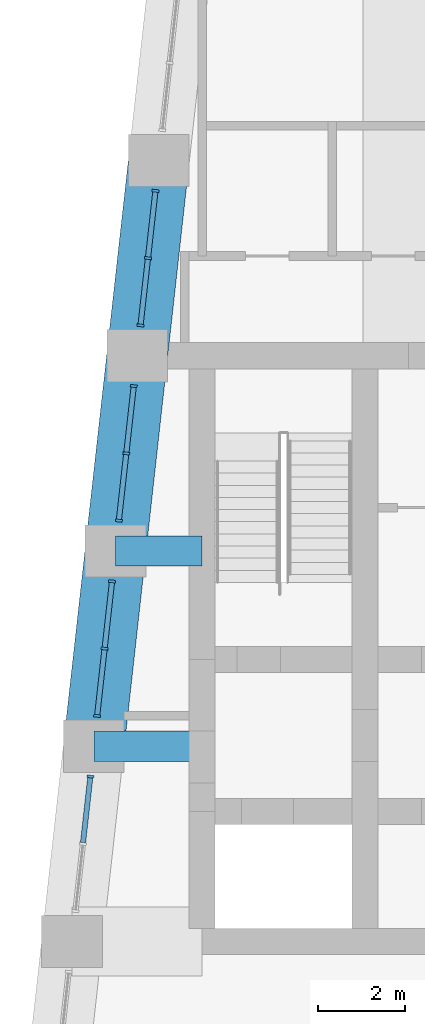
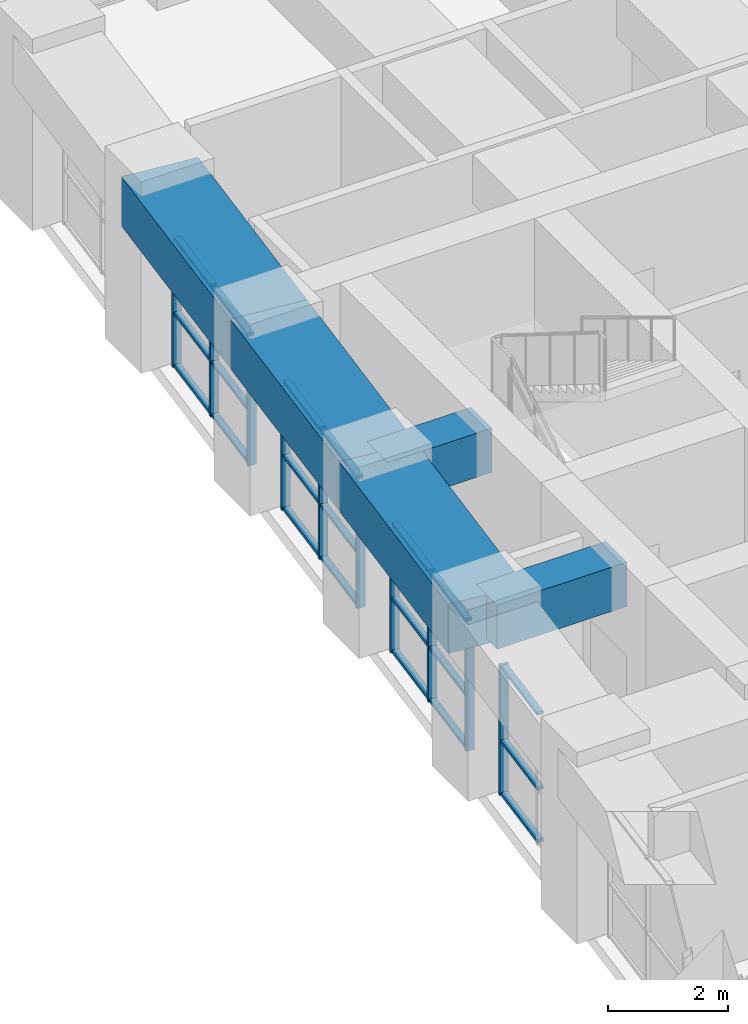
# One storey, part 4 of 15: 31 members, 5 beams, 4 elements without a shape of their own.
"""IFC4 building model written with IfcOpenShell, lengths in metres."""

from ifc_helpers import new_model, si_unit, direction, frame, origin, origin_2d, place, context, subcontext, project, spatial, rectangle, extrude, material, material_profile, profile_set, type_object, element, aggregate, save


model = new_model("IFC4")

# Units and contexts
model_context = context("Model", 3, precision=1e-05, world=origin(), true_north=direction((0.0, 1.0)))
body_context = subcontext(model_context, "Body", "Model", "MODEL_VIEW")
ifc_project = project(units=[si_unit("LENGTHUNIT", "METRE"), si_unit("AREAUNIT", "SQUARE_METRE"), si_unit("VOLUMEUNIT", "CUBIC_METRE"), si_unit("PLANEANGLEUNIT", "RADIAN"), si_unit("MASSUNIT", "GRAM", prefix="KILO")], contexts=[model_context])

# Site, building, storey
site_placement = place(None, origin())
site = spatial("IfcSite", under=ifc_project, at=site_placement, CompositionType="ELEMENT")
building_placement = place(site_placement, origin())
building = spatial("IfcBuilding", under=site, at=building_placement, Name="Kilele Tower Hotel", CompositionType="ELEMENT")
storey_placement = place(building_placement, frame((0.0, 0.0, 285.800048828125)))
storey = spatial("IfcBuildingStorey", under=building, at=storey_placement, Name="L73", CompositionType="ELEMENT", Elevation=285.800048828125)

# Beams
ifc_material_1 = material(Name="Concrete C60/75", Category="concrete")
ifc_material_profile_1 = material_profile(ifc_material_1, rectangle(XDim=0.699951171875, YDim=0.89990234375, at=origin_2d()))
ifc_profile_set_1 = profile_set([ifc_material_profile_1], Name="Concrete C60/75")
beam_type_1 = type_object("IfcBeamType", Name="Beam RC 700x900 C60/75 short span", PredefinedType="BEAM", material=ifc_profile_set_1)
beam_1_placement = place(storey_placement, frame((11.5, 22.5, 3.14990234375), z_axis=(1.0, 0.0, 0.0), x_axis=(0.0, 1.0, 0.0)))
element("IfcBeam", 1, at=beam_1_placement, inside=storey, type_object=beam_type_1, Name="Beam B3 level CROWN", PredefinedType="BEAM", context=body_context, shape_type="SweptSolid", body=[
    extrude(rectangle(XDim=0.699951171875, YDim=0.89990234375, at=origin_2d()), origin(), (0.0, 0.0, 1.0), 2.0),
])
beam_2_placement = place(storey_placement, frame((11.0, 18.0, 3.14990234375), z_axis=(1.0, 0.0, 0.0), x_axis=(0.0, 1.0, 0.0)))
element("IfcBeam", 2, at=beam_2_placement, inside=storey, type_object=beam_type_1, Name="Beam B3 level CROWN", PredefinedType="BEAM", context=body_context, shape_type="SweptSolid", body=[
    extrude(rectangle(XDim=0.699951171875, YDim=0.89990234375, at=origin_2d()), origin(), (0.0, 0.0, 1.0), 2.5),
])

# Curtain wall, members
ifc_material_2 = material(Name="Aluminium curtain wall, clear double glazing", Category="aluminium")
curtain_wall_type = type_object("IfcCurtainWallType", Name="Sky bar curtain wall CW-6", PredefinedType="NOTDEFINED", material=ifc_material_2)
curtain_wall_1_placement = place(storey_placement, origin())
curtain_wall_1 = element("IfcCurtainWall", 3, at=curtain_wall_1_placement, inside=storey, type_object=curtain_wall_type, Name="Sky bar curtain wall CW-6 L73", PredefinedType="NOTDEFINED")
ifc_material_3 = material(Name="Aluminium EN AW-6063 T6", Category="aluminium")
ifc_material_profile_2 = material_profile(ifc_material_3, rectangle(XDim=0.159912109375, YDim=0.06005859375, at=origin_2d()))
ifc_profile_set_2 = profile_set([ifc_material_profile_2], Name="Aluminium EN AW-6063 T6")
member_type_1 = type_object("IfcMemberType", Name="Mullion 60x160 CW-6", PredefinedType="MULLION", material=ifc_profile_set_2)
member_1_placement = place(storey_placement, frame((12.42236328125, 30.80078125, 0.0), z_axis=(0.0, 0.0, 1.0), x_axis=(0.993883734681, -0.110431526007, 0.0)))
member_1 = element("IfcMember", 4, at=member_1_placement, type_object=member_type_1, Name="CW-6 mullion 1", PredefinedType="MULLION", context=body_context, shape_type="SweptSolid", body=[
    extrude(rectangle(XDim=0.159912109375, YDim=0.06005859375, at=origin_2d()), origin(), (0.0, 0.0, 1.0), 2.64990234375),
])
member_2_placement = place(storey_placement, frame((12.25, 29.25, 0.0), z_axis=(0.0, 0.0, 1.0), x_axis=(0.993883734681, -0.110431526007, 0.0)))
member_2 = element("IfcMember", 5, at=member_2_placement, type_object=member_type_1, Name="CW-6 mullion 2", PredefinedType="MULLION", context=body_context, shape_type="SweptSolid", body=[
    extrude(rectangle(XDim=0.159912109375, YDim=0.06005859375, at=origin_2d()), origin(), (0.0, 0.0, 1.0), 2.64990234375),
])
member_3_placement = place(storey_placement, frame((12.07763671875, 27.69921875, 0.0), z_axis=(0.0, 0.0, 1.0), x_axis=(0.993883734681, -0.110431526007, 0.0)))
member_3 = element("IfcMember", 6, at=member_3_placement, type_object=member_type_1, Name="CW-6 mullion 3", PredefinedType="MULLION", context=body_context, shape_type="SweptSolid", body=[
    extrude(rectangle(XDim=0.159912109375, YDim=0.06005859375, at=origin_2d()), origin(), (0.0, 0.0, 1.0), 2.64990234375),
])

curtain_wall_2_placement = place(storey_placement, origin())
curtain_wall_2 = element("IfcCurtainWall", 7, at=curtain_wall_2_placement, inside=storey, type_object=curtain_wall_type, Name="Sky bar curtain wall CW-6 L73", PredefinedType="NOTDEFINED")
member_4_placement = place(storey_placement, frame((11.92236328125, 26.30078125, 0.0), z_axis=(0.0, 0.0, 1.0), x_axis=(0.993883734681, -0.110431526007, 0.0)))
member_4 = element("IfcMember", 8, at=member_4_placement, type_object=member_type_1, Name="CW-6 mullion 1", PredefinedType="MULLION", context=body_context, shape_type="SweptSolid", body=[
    extrude(rectangle(XDim=0.159912109375, YDim=0.06005859375, at=origin_2d()), origin(), (0.0, 0.0, 1.0), 2.64990234375),
])
member_5_placement = place(storey_placement, frame((11.75, 24.75, 0.0), z_axis=(0.0, 0.0, 1.0), x_axis=(0.993883734681, -0.110431526007, 0.0)))
member_5 = element("IfcMember", 9, at=member_5_placement, type_object=member_type_1, Name="CW-6 mullion 2", PredefinedType="MULLION", context=body_context, shape_type="SweptSolid", body=[
    extrude(rectangle(XDim=0.159912109375, YDim=0.06005859375, at=origin_2d()), origin(), (0.0, 0.0, 1.0), 2.64990234375),
])
member_6_placement = place(storey_placement, frame((11.57763671875, 23.19921875, 0.0), z_axis=(0.0, 0.0, 1.0), x_axis=(0.993883734681, -0.110431526007, 0.0)))
member_6 = element("IfcMember", 10, at=member_6_placement, type_object=member_type_1, Name="CW-6 mullion 3", PredefinedType="MULLION", context=body_context, shape_type="SweptSolid", body=[
    extrude(rectangle(XDim=0.159912109375, YDim=0.06005859375, at=origin_2d()), origin(), (0.0, 0.0, 1.0), 2.64990234375),
])

curtain_wall_3_placement = place(storey_placement, origin())
curtain_wall_3 = element("IfcCurtainWall", 11, at=curtain_wall_3_placement, inside=storey, type_object=curtain_wall_type, Name="Sky bar curtain wall CW-6 L73", PredefinedType="NOTDEFINED")
member_7_placement = place(storey_placement, frame((11.42236328125, 21.80078125, 0.0), z_axis=(0.0, 0.0, 1.0), x_axis=(0.993883734681, -0.110431526007, 0.0)))
member_7 = element("IfcMember", 12, at=member_7_placement, type_object=member_type_1, Name="CW-6 mullion 1", PredefinedType="MULLION", context=body_context, shape_type="SweptSolid", body=[
    extrude(rectangle(XDim=0.159912109375, YDim=0.06005859375, at=origin_2d()), origin(), (0.0, 0.0, 1.0), 2.64990234375),
])
member_8_placement = place(storey_placement, frame((11.25, 20.25, 0.0), z_axis=(0.0, 0.0, 1.0), x_axis=(0.993883734681, -0.110431526007, 0.0)))
member_8 = element("IfcMember", 13, at=member_8_placement, type_object=member_type_1, Name="CW-6 mullion 2", PredefinedType="MULLION", context=body_context, shape_type="SweptSolid", body=[
    extrude(rectangle(XDim=0.159912109375, YDim=0.06005859375, at=origin_2d()), origin(), (0.0, 0.0, 1.0), 2.64990234375),
])
member_9_placement = place(storey_placement, frame((11.07763671875, 18.69921875, 0.0), z_axis=(0.0, 0.0, 1.0), x_axis=(0.993883734681, -0.110431526007, 0.0)))
member_9 = element("IfcMember", 14, at=member_9_placement, type_object=member_type_1, Name="CW-6 mullion 3", PredefinedType="MULLION", context=body_context, shape_type="SweptSolid", body=[
    extrude(rectangle(XDim=0.159912109375, YDim=0.06005859375, at=origin_2d()), origin(), (0.0, 0.0, 1.0), 2.64990234375),
])

# Curtain wall, member
curtain_wall_4_placement = place(storey_placement, origin())
curtain_wall_4 = element("IfcCurtainWall", 15, at=curtain_wall_4_placement, inside=storey, type_object=curtain_wall_type, Name="Sky bar curtain wall CW-6 L73", PredefinedType="NOTDEFINED")
member_10_placement = place(storey_placement, frame((10.92236328125, 17.30078125, 0.0), z_axis=(0.0, 0.0, 1.0), x_axis=(0.993883734681, -0.110431526007, 0.0)))
member_10 = element("IfcMember", 16, at=member_10_placement, type_object=member_type_1, Name="CW-6 mullion 1", PredefinedType="MULLION", context=body_context, shape_type="SweptSolid", body=[
    extrude(rectangle(XDim=0.159912109375, YDim=0.06005859375, at=origin_2d()), origin(), (0.0, 0.0, 1.0), 2.64990234375),
])

# Beams
ifc_material_4 = material(Name="Concrete C60/75", Category="concrete")
ifc_material_profile_3 = material_profile(ifc_material_4, rectangle(XDim=1.39990234375, YDim=1.0, at=origin_2d()))
ifc_profile_set_3 = profile_set([ifc_material_profile_3], Name="Concrete C60/75")
beam_type_2 = type_object("IfcBeamType", Name="Spandrel RC 1400x1000 C60/75", PredefinedType="SPANDREL", material=ifc_profile_set_3)
for number, where, z_axis, x_axis, name in (
    (17, (12.5, 31.5, 3.099853515625), (-0.110431526075, -0.993883734674, 0.0), (0.993883734674, -0.110431526075, 0.0), "Spandrel SP1 level CROWN"),
    (18, (12.0, 27.0, 3.099853515625), (-0.110431526075, -0.993883734674, 0.0), (0.993883734674, -0.110431526075, 0.0), "Spandrel SP1 level CROWN"),
    (19, (11.5, 22.5, 3.099853515625), (-0.110431526075, -0.993883734674, 0.0), (0.993883734674, -0.110431526075, 0.0), "Spandrel SP1 level CROWN"),
):
    element("IfcBeam", number, at=place(storey_placement, frame(where, z_axis=z_axis, x_axis=x_axis)), inside=storey, type_object=beam_type_2, Name=name, PredefinedType="SPANDREL", context=body_context, shape_type="SweptSolid", body=[
        extrude(rectangle(XDim=1.39990234375, YDim=1.0, at=origin_2d()), origin(), (0.0, 0.0, 1.0), 4.527587890625),
    ])

# Member
ifc_material_5 = material(Name="Aluminium EN AW-6063 T6", Category="aluminium")
ifc_material_profile_4 = material_profile(ifc_material_5, rectangle(XDim=0.1201171875, YDim=0.06005859375, at=origin_2d()))
ifc_profile_set_4 = profile_set([ifc_material_profile_4], Name="Aluminium EN AW-6063 T6")
member_type_2 = type_object("IfcMemberType", Name="Transom 60x120 CW-6", PredefinedType="USERDEFINED", material=ifc_profile_set_4)
member_11_placement = place(storey_placement, frame((12.4189453125, 30.770751953125, 0.030029296875), z_axis=(-0.110342213455, -0.993893654236, 0.0), x_axis=(0.993893654236, -0.110342213455, 0.0)))
member_11 = element("IfcMember", 20, at=member_11_placement, type_object=member_type_2, Name="CW-6 transom 1.1", ObjectType="TRANSOM", PredefinedType="USERDEFINED", context=body_context, shape_type="SweptSolid", body=[
    extrude(rectangle(XDim=0.1201171875, YDim=0.06005859375, at=origin_2d()), origin(), (0.0, 0.0, 1.0), 1.500244140625),
])

member_12_placement = place(storey_placement, frame((12.4189453125, 30.770751953125, 1.099853515625), z_axis=(-0.110342213455, -0.993893654236, 0.0), x_axis=(0.993893654236, -0.110342213455, 0.0)))
member_12 = element("IfcMember", 21, at=member_12_placement, type_object=member_type_2, Name="CW-6 transom 1.2", ObjectType="TRANSOM", PredefinedType="USERDEFINED", context=body_context, shape_type="SweptSolid", body=[
    extrude(rectangle(XDim=0.1201171875, YDim=0.06005859375, at=origin_2d()), origin(), (0.0, 0.0, 1.0), 1.500244140625),
])

member_13_placement = place(storey_placement, frame((12.4189453125, 30.770751953125, 2.619873046875), z_axis=(-0.110342213455, -0.993893654236, 0.0), x_axis=(0.993893654236, -0.110342213455, 0.0)))
member_13 = element("IfcMember", 22, at=member_13_placement, type_object=member_type_2, Name="CW-6 transom 1.3", ObjectType="TRANSOM", PredefinedType="USERDEFINED", context=body_context, shape_type="SweptSolid", body=[
    extrude(rectangle(XDim=0.1201171875, YDim=0.06005859375, at=origin_2d()), origin(), (0.0, 0.0, 1.0), 1.500244140625),
])

member_14_placement = place(storey_placement, frame((12.24658203125, 29.22021484375, 0.030029296875), z_axis=(-0.110342213455, -0.993893654236, 0.0), x_axis=(0.993893654236, -0.110342213455, 0.0)))
member_14 = element("IfcMember", 23, at=member_14_placement, type_object=member_type_2, Name="CW-6 transom 2.1", ObjectType="TRANSOM", PredefinedType="USERDEFINED", context=body_context, shape_type="SweptSolid", body=[
    extrude(rectangle(XDim=0.1201171875, YDim=0.06005859375, at=origin_2d()), origin(), (0.0, 0.0, 1.0), 1.500244140625),
])

member_15_placement = place(storey_placement, frame((12.24658203125, 29.22021484375, 1.099853515625), z_axis=(-0.110342213455, -0.993893654236, 0.0), x_axis=(0.993893654236, -0.110342213455, 0.0)))
member_15 = element("IfcMember", 24, at=member_15_placement, type_object=member_type_2, Name="CW-6 transom 2.2", ObjectType="TRANSOM", PredefinedType="USERDEFINED", context=body_context, shape_type="SweptSolid", body=[
    extrude(rectangle(XDim=0.1201171875, YDim=0.06005859375, at=origin_2d()), origin(), (0.0, 0.0, 1.0), 1.500244140625),
])

member_16_placement = place(storey_placement, frame((12.24658203125, 29.22021484375, 2.619873046875), z_axis=(-0.110342213455, -0.993893654236, 0.0), x_axis=(0.993893654236, -0.110342213455, 0.0)))
member_16 = element("IfcMember", 25, at=member_16_placement, type_object=member_type_2, Name="CW-6 transom 2.3", ObjectType="TRANSOM", PredefinedType="USERDEFINED", context=body_context, shape_type="SweptSolid", body=[
    extrude(rectangle(XDim=0.1201171875, YDim=0.06005859375, at=origin_2d()), origin(), (0.0, 0.0, 1.0), 1.500244140625),
])

aggregate(curtain_wall_1, [member_1, member_2, member_3, member_11, member_12, member_13, member_14, member_15, member_16])

member_17_placement = place(storey_placement, frame((11.9189453125, 26.270751953125, 0.030029296875), z_axis=(-0.110342213455, -0.993893654236, 0.0), x_axis=(0.993893654236, -0.110342213455, 0.0)))
member_17 = element("IfcMember", 26, at=member_17_placement, type_object=member_type_2, Name="CW-6 transom 1.1", ObjectType="TRANSOM", PredefinedType="USERDEFINED", context=body_context, shape_type="SweptSolid", body=[
    extrude(rectangle(XDim=0.1201171875, YDim=0.06005859375, at=origin_2d()), origin(), (0.0, 0.0, 1.0), 1.500244140625),
])

member_18_placement = place(storey_placement, frame((11.9189453125, 26.270751953125, 1.099853515625), z_axis=(-0.110342213455, -0.993893654236, 0.0), x_axis=(0.993893654236, -0.110342213455, 0.0)))
member_18 = element("IfcMember", 27, at=member_18_placement, type_object=member_type_2, Name="CW-6 transom 1.2", ObjectType="TRANSOM", PredefinedType="USERDEFINED", context=body_context, shape_type="SweptSolid", body=[
    extrude(rectangle(XDim=0.1201171875, YDim=0.06005859375, at=origin_2d()), origin(), (0.0, 0.0, 1.0), 1.500244140625),
])

member_19_placement = place(storey_placement, frame((11.9189453125, 26.270751953125, 2.619873046875), z_axis=(-0.110342213455, -0.993893654236, 0.0), x_axis=(0.993893654236, -0.110342213455, 0.0)))
member_19 = element("IfcMember", 28, at=member_19_placement, type_object=member_type_2, Name="CW-6 transom 1.3", ObjectType="TRANSOM", PredefinedType="USERDEFINED", context=body_context, shape_type="SweptSolid", body=[
    extrude(rectangle(XDim=0.1201171875, YDim=0.06005859375, at=origin_2d()), origin(), (0.0, 0.0, 1.0), 1.500244140625),
])

member_20_placement = place(storey_placement, frame((11.74658203125, 24.72021484375, 0.030029296875), z_axis=(-0.110342213455, -0.993893654236, 0.0), x_axis=(0.993893654236, -0.110342213455, 0.0)))
member_20 = element("IfcMember", 29, at=member_20_placement, type_object=member_type_2, Name="CW-6 transom 2.1", ObjectType="TRANSOM", PredefinedType="USERDEFINED", context=body_context, shape_type="SweptSolid", body=[
    extrude(rectangle(XDim=0.1201171875, YDim=0.06005859375, at=origin_2d()), origin(), (0.0, 0.0, 1.0), 1.500244140625),
])

member_21_placement = place(storey_placement, frame((11.74658203125, 24.72021484375, 1.099853515625), z_axis=(-0.110342213455, -0.993893654236, 0.0), x_axis=(0.993893654236, -0.110342213455, 0.0)))
member_21 = element("IfcMember", 30, at=member_21_placement, type_object=member_type_2, Name="CW-6 transom 2.2", ObjectType="TRANSOM", PredefinedType="USERDEFINED", context=body_context, shape_type="SweptSolid", body=[
    extrude(rectangle(XDim=0.1201171875, YDim=0.06005859375, at=origin_2d()), origin(), (0.0, 0.0, 1.0), 1.500244140625),
])

member_22_placement = place(storey_placement, frame((11.74658203125, 24.72021484375, 2.619873046875), z_axis=(-0.110342213455, -0.993893654236, 0.0), x_axis=(0.993893654236, -0.110342213455, 0.0)))
member_22 = element("IfcMember", 31, at=member_22_placement, type_object=member_type_2, Name="CW-6 transom 2.3", ObjectType="TRANSOM", PredefinedType="USERDEFINED", context=body_context, shape_type="SweptSolid", body=[
    extrude(rectangle(XDim=0.1201171875, YDim=0.06005859375, at=origin_2d()), origin(), (0.0, 0.0, 1.0), 1.500244140625),
])

aggregate(curtain_wall_2, [member_4, member_5, member_6, member_17, member_18, member_19, member_20, member_21, member_22])

member_23_placement = place(storey_placement, frame((11.4189453125, 21.770751953125, 0.030029296875), z_axis=(-0.110342213455, -0.993893654236, 0.0), x_axis=(0.993893654236, -0.110342213455, 0.0)))
member_23 = element("IfcMember", 32, at=member_23_placement, type_object=member_type_2, Name="CW-6 transom 1.1", ObjectType="TRANSOM", PredefinedType="USERDEFINED", context=body_context, shape_type="SweptSolid", body=[
    extrude(rectangle(XDim=0.1201171875, YDim=0.06005859375, at=origin_2d()), origin(), (0.0, 0.0, 1.0), 1.500244140625),
])

member_24_placement = place(storey_placement, frame((11.4189453125, 21.770751953125, 1.099853515625), z_axis=(-0.110342213455, -0.993893654236, 0.0), x_axis=(0.993893654236, -0.110342213455, 0.0)))
member_24 = element("IfcMember", 33, at=member_24_placement, type_object=member_type_2, Name="CW-6 transom 1.2", ObjectType="TRANSOM", PredefinedType="USERDEFINED", context=body_context, shape_type="SweptSolid", body=[
    extrude(rectangle(XDim=0.1201171875, YDim=0.06005859375, at=origin_2d()), origin(), (0.0, 0.0, 1.0), 1.500244140625),
])

member_25_placement = place(storey_placement, frame((11.4189453125, 21.770751953125, 2.619873046875), z_axis=(-0.110342213455, -0.993893654236, 0.0), x_axis=(0.993893654236, -0.110342213455, 0.0)))
member_25 = element("IfcMember", 34, at=member_25_placement, type_object=member_type_2, Name="CW-6 transom 1.3", ObjectType="TRANSOM", PredefinedType="USERDEFINED", context=body_context, shape_type="SweptSolid", body=[
    extrude(rectangle(XDim=0.1201171875, YDim=0.06005859375, at=origin_2d()), origin(), (0.0, 0.0, 1.0), 1.500244140625),
])

member_26_placement = place(storey_placement, frame((11.24658203125, 20.22021484375, 0.030029296875), z_axis=(-0.110342213455, -0.993893654236, 0.0), x_axis=(0.993893654236, -0.110342213455, 0.0)))
member_26 = element("IfcMember", 35, at=member_26_placement, type_object=member_type_2, Name="CW-6 transom 2.1", ObjectType="TRANSOM", PredefinedType="USERDEFINED", context=body_context, shape_type="SweptSolid", body=[
    extrude(rectangle(XDim=0.1201171875, YDim=0.06005859375, at=origin_2d()), origin(), (0.0, 0.0, 1.0), 1.500244140625),
])

member_27_placement = place(storey_placement, frame((11.24658203125, 20.22021484375, 1.099853515625), z_axis=(-0.110342213455, -0.993893654236, 0.0), x_axis=(0.993893654236, -0.110342213455, 0.0)))
member_27 = element("IfcMember", 36, at=member_27_placement, type_object=member_type_2, Name="CW-6 transom 2.2", ObjectType="TRANSOM", PredefinedType="USERDEFINED", context=body_context, shape_type="SweptSolid", body=[
    extrude(rectangle(XDim=0.1201171875, YDim=0.06005859375, at=origin_2d()), origin(), (0.0, 0.0, 1.0), 1.500244140625),
])

member_28_placement = place(storey_placement, frame((11.24658203125, 20.22021484375, 2.619873046875), z_axis=(-0.110342213455, -0.993893654236, 0.0), x_axis=(0.993893654236, -0.110342213455, 0.0)))
member_28 = element("IfcMember", 37, at=member_28_placement, type_object=member_type_2, Name="CW-6 transom 2.3", ObjectType="TRANSOM", PredefinedType="USERDEFINED", context=body_context, shape_type="SweptSolid", body=[
    extrude(rectangle(XDim=0.1201171875, YDim=0.06005859375, at=origin_2d()), origin(), (0.0, 0.0, 1.0), 1.500244140625),
])

aggregate(curtain_wall_3, [member_7, member_8, member_9, member_23, member_24, member_25, member_26, member_27, member_28])

member_29_placement = place(storey_placement, frame((10.9189453125, 17.270751953125, 0.030029296875), z_axis=(-0.110342213455, -0.993893654236, 0.0), x_axis=(0.993893654236, -0.110342213455, 0.0)))
member_29 = element("IfcMember", 38, at=member_29_placement, type_object=member_type_2, Name="CW-6 transom 1.1", ObjectType="TRANSOM", PredefinedType="USERDEFINED", context=body_context, shape_type="SweptSolid", body=[
    extrude(rectangle(XDim=0.1201171875, YDim=0.06005859375, at=origin_2d()), origin(), (0.0, 0.0, 1.0), 1.500244140625),
])

member_30_placement = place(storey_placement, frame((10.9189453125, 17.270751953125, 1.099853515625), z_axis=(-0.110342213455, -0.993893654236, 0.0), x_axis=(0.993893654236, -0.110342213455, 0.0)))
member_30 = element("IfcMember", 39, at=member_30_placement, type_object=member_type_2, Name="CW-6 transom 1.2", ObjectType="TRANSOM", PredefinedType="USERDEFINED", context=body_context, shape_type="SweptSolid", body=[
    extrude(rectangle(XDim=0.1201171875, YDim=0.06005859375, at=origin_2d()), origin(), (0.0, 0.0, 1.0), 1.500244140625),
])

member_31_placement = place(storey_placement, frame((10.9189453125, 17.270751953125, 2.619873046875), z_axis=(-0.110342213455, -0.993893654236, 0.0), x_axis=(0.993893654236, -0.110342213455, 0.0)))
member_31 = element("IfcMember", 40, at=member_31_placement, type_object=member_type_2, Name="CW-6 transom 1.3", ObjectType="TRANSOM", PredefinedType="USERDEFINED", context=body_context, shape_type="SweptSolid", body=[
    extrude(rectangle(XDim=0.1201171875, YDim=0.06005859375, at=origin_2d()), origin(), (0.0, 0.0, 1.0), 1.500244140625),
])

aggregate(curtain_wall_4, [member_10, member_29, member_30, member_31])

save(model, "model.ifc")
